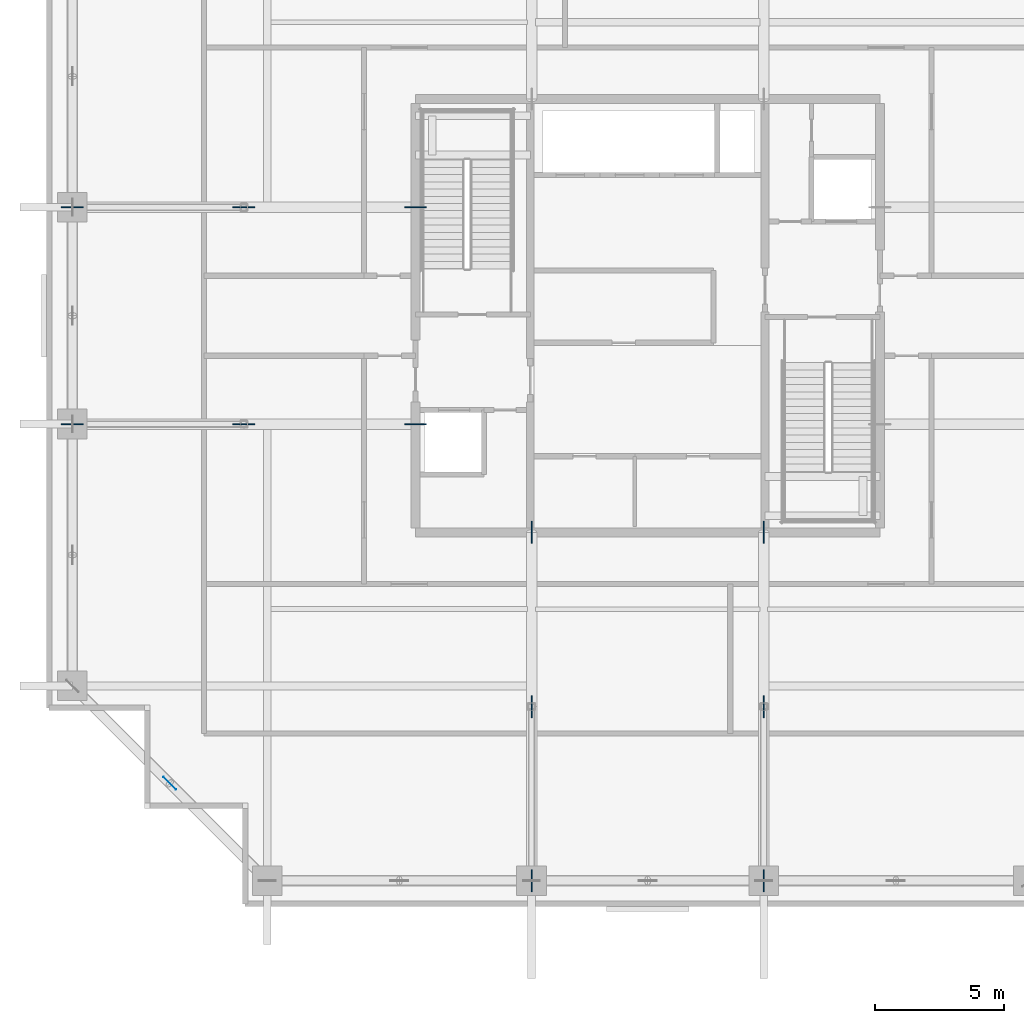
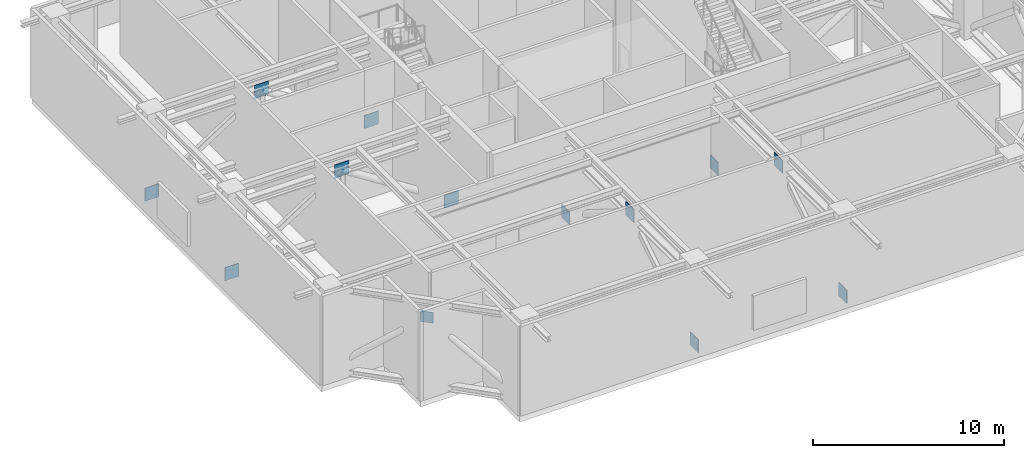
# One storey, part 7 of 22: 13 plates.
"""IFC4 building model written with IfcOpenShell, lengths in metres."""

from ifc_helpers import new_model, si_unit, direction, frame, origin, origin_2d, place, context, subcontext, project, spatial, rectangle, extrude, source, transform, mapped, material, layer, layer_set, type_object, element, save


model = new_model("IFC4")

# Units and contexts
model_context = context("Model", 3, precision=1e-05, world=origin(), true_north=direction((0.0, 1.0)))
body_context = subcontext(model_context, "Body", "Model", "MODEL_VIEW")
ifc_project = project(units=[si_unit("LENGTHUNIT", "METRE"), si_unit("AREAUNIT", "SQUARE_METRE"), si_unit("VOLUMEUNIT", "CUBIC_METRE"), si_unit("PLANEANGLEUNIT", "RADIAN"), si_unit("MASSUNIT", "GRAM", prefix="KILO")], contexts=[model_context])

# Site, building, storey
site_placement = place(None, origin())
site = spatial("IfcSite", under=ifc_project, at=site_placement, CompositionType="ELEMENT")
building_placement = place(site_placement, origin())
building = spatial("IfcBuilding", under=site, at=building_placement, Name="Serunith Strait Residences", CompositionType="ELEMENT")
storey_placement = place(building_placement, frame((0.0, 0.0, 287.449951171875)))
storey = spatial("IfcBuildingStorey", under=building, at=storey_placement, Name="L72", CompositionType="ELEMENT", Elevation=287.449951171875)

# Plates
ifc_material = material(Name="Steel S460M", Category="steel")
ifc_layer_1 = layer(ifc_material, 0.031982421875, Name="Steel S460M")
ifc_layer_set_1 = layer_set([ifc_layer_1], Name="Steel S460M")
plate_type_1 = type_object("IfcPlateType", Name="PLT-GUSSET-32", PredefinedType="USERDEFINED", material=ifc_layer_set_1)
shared_shape_1 = source(origin(), body_context, "Body", "SweptSolid", [
    extrude(rectangle(XDim=0.85009765625, YDim=0.0400390625, at=origin_2d()), origin(), (0.0, 0.0, 1.0), 0.85009765625),
])
for number, where, z_axis, x_axis, name in (
    (1, (27.89990234375, 16.800048828125, -0.175048828125), (0.0, 0.0, 1.0), (0.0, -1.0, 0.0), "L72 Outrigger Gusset Plate ND-09"),
    (2, (27.89990234375, 10.050048828125, 4.06494140625), (0.0, 0.0, 1.0), (0.0, -1.0, 0.0), "L72 Outrigger Gusset Plate ND-09"),
    (3, (27.89990234375, 3.300048828125, -0.175048828125), (0.0, 0.0, 1.0), (0.0, -1.0, 0.0), "L72 Outrigger Gusset Plate ND-09"),
    (4, (36.89990234375, 16.800048828125, -0.175048828125), (0.0, 0.0, 1.0), (0.0, -1.0, 0.0), "L72 Outrigger Gusset Plate ND-09"),
    (5, (36.89990234375, 10.050048828125, 4.06494140625), (0.0, 0.0, 1.0), (0.0, -1.0, 0.0), "L72 Outrigger Gusset Plate ND-09"),
    (6, (36.89990234375, 3.300048828125, -0.175048828125), (0.0, 0.0, 1.0), (0.0, -1.0, 0.0), "L72 Outrigger Gusset Plate ND-09"),
    (7, (23.39990234375, 21.0, -0.175048828125), (0.0, 0.0, 1.0), (-1.0, 0.0, 0.0), "L72 Outrigger Gusset Plate ND-09"),
    (8, (16.75, 21.0, 4.06494140625), (0.0, 0.0, 1.0), (-1.0, 0.0, 0.0), "L72 Outrigger Gusset Plate ND-09"),
    (9, (10.10009765625, 21.0, -0.175048828125), (0.0, 0.0, 1.0), (-1.0, 0.0, 0.0), "L72 Outrigger Gusset Plate ND-09"),
    (10, (23.39990234375, 29.39990234375, -0.175048828125), (0.0, 0.0, 1.0), (-1.0, 0.0, 0.0), "L72 Outrigger Gusset Plate ND-09"),
    (11, (16.75, 29.39990234375, 4.06494140625), (0.0, 0.0, 1.0), (-1.0, 0.0, 0.0), "L72 Outrigger Gusset Plate ND-09"),
    (12, (10.10009765625, 29.39990234375, -0.175048828125), (0.0, 0.0, 1.0), (-1.0, 0.0, 0.0), "L72 Outrigger Gusset Plate ND-09"),
):
    element("IfcPlate", number, at=place(storey_placement, frame(where, z_axis=z_axis, x_axis=x_axis)), inside=storey, type_object=plate_type_1, Name=name, ObjectType="GUSSET_PLATE", PredefinedType="USERDEFINED", context=body_context, shape_type="MappedRepresentation", body=[
        mapped(shared_shape_1, transform((0.0, 0.0, 0.0), scale=1.0)),
    ])
ifc_layer_2 = layer(ifc_material, 0.02490234375, Name="Steel S460M")
ifc_layer_set_2 = layer_set([ifc_layer_2], Name="Steel S460M")
plate_type_2 = type_object("IfcPlateType", Name="PLT-CAP-25", PredefinedType="SHEET", material=ifc_layer_set_2)
shared_shape_2 = source(origin(), body_context, "Body", "SweptSolid", [
    extrude(rectangle(XDim=0.699951171875, YDim=0.02490234375, at=origin_2d()), origin(), (0.0, 0.0, 1.0), 0.699951171875),
])
plate_placement = place(storey_placement, frame((13.875, 7.074951171875, 4.14013671875), z_axis=(0.0, 0.0, 1.0), x_axis=(0.707106781187, -0.707106781187, 0.0)))
element("IfcPlate", 13, at=plate_placement, inside=storey, type_object=plate_type_2, Name="L72 Belt Truss Apex Gusset 16", PredefinedType="SHEET", context=body_context, shape_type="MappedRepresentation", body=[
    mapped(shared_shape_2, transform((0.0, 0.0, 0.0), scale=1.0)),
])

save(model, "model.ifc")
